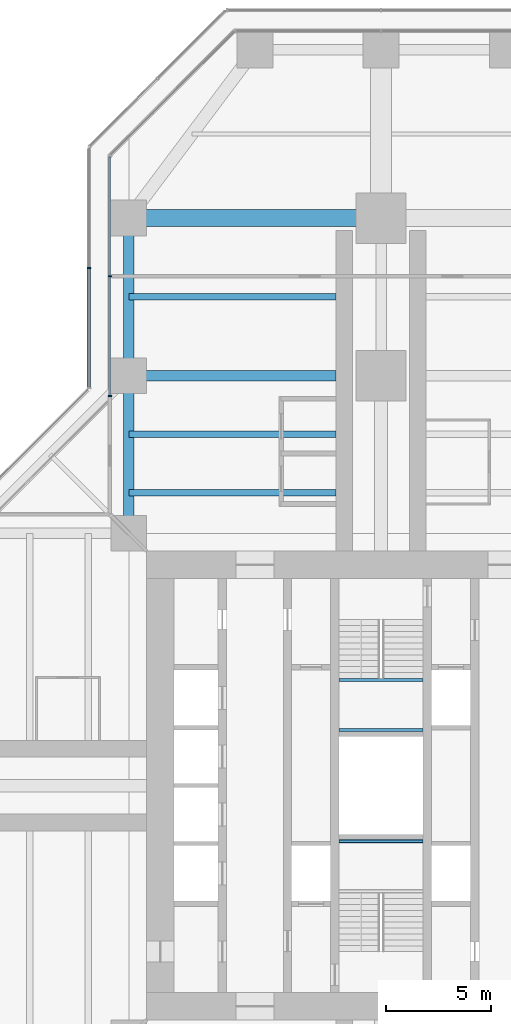
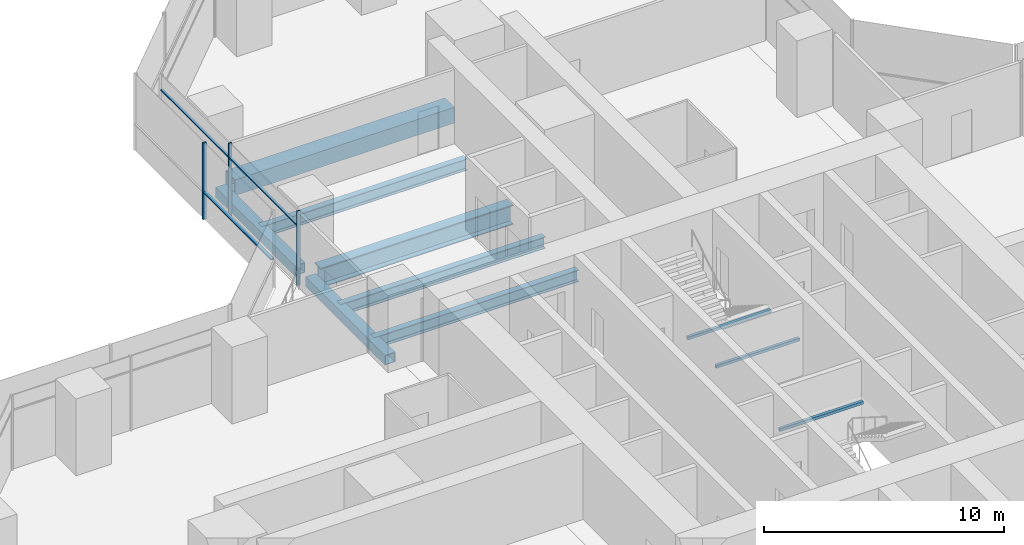
# One storey, part 9 of 22: 10 beams, 6 members, 2 elements without a shape of their own.
"""IFC4 building model written with IfcOpenShell, lengths in metres."""

from ifc_helpers import new_model, si_unit, direction, frame, origin, origin_2d, place, context, subcontext, project, spatial, rectangle, hollow_rectangle, i_section, extrude, material, material_profile, profile_set, type_object, element, aggregate, save


model = new_model("IFC4")

# Units and contexts
model_context = context("Model", 3, precision=1e-05, world=origin(), true_north=direction((0.0, 1.0)))
body_context = subcontext(model_context, "Body", "Model", "MODEL_VIEW")
ifc_project = project(units=[si_unit("LENGTHUNIT", "METRE"), si_unit("AREAUNIT", "SQUARE_METRE"), si_unit("VOLUMEUNIT", "CUBIC_METRE"), si_unit("PLANEANGLEUNIT", "RADIAN"), si_unit("MASSUNIT", "GRAM", prefix="KILO")], contexts=[model_context])

# Site, building, storey
site_placement = place(None, origin())
site = spatial("IfcSite", under=ifc_project, at=site_placement, CompositionType="ELEMENT")
building_placement = place(site_placement, origin())
building = spatial("IfcBuilding", under=site, at=building_placement, Name="Mizan Broadcast Tower", CompositionType="ELEMENT")
storey_placement = place(building_placement, frame((0.0, 0.0, 70.800048828125)))
storey = spatial("IfcBuildingStorey", under=building, at=storey_placement, Name="L14", CompositionType="ELEMENT", Elevation=70.800048828125)

# Beams
ifc_material_1 = material(Name="Steel S355", Category="steel")
ifc_material_profile_1 = material_profile(ifc_material_1, hollow_rectangle(XDim=0.5, YDim=0.5, WallThickness=0.030029296875, at=origin_2d()), Name="BOX 500x500x30")
ifc_profile_set_1 = profile_set([ifc_material_profile_1], Name="Steel S355")
beam_type_1 = type_object("IfcBeamType", Name="EDGE BEAM BOX 500x500x30", PredefinedType="SPANDREL", material=ifc_profile_set_1)
for number, where, z_axis, x_axis, name in (
    (1, (-12.0, 12.449951171875, -0.380126953125), (0.0, 1.0, 0.0), (-1.0, 0.0, 0.0), "Edge beam BOX 500x500x30 L14 north arm"),
    (2, (-12.0, 19.949951171875, -0.380126953125), (0.0, 1.0, 0.0), (-1.0, 0.0, 0.0), "Edge beam BOX 500x500x30 L14 north arm"),
):
    element("IfcBeam", number, at=place(storey_placement, frame(where, z_axis=z_axis, x_axis=x_axis)), inside=storey, type_object=beam_type_1, Name=name, PredefinedType="SPANDREL", context=body_context, shape_type="SweptSolid", body=[
        extrude(hollow_rectangle(XDim=0.5, YDim=0.5, WallThickness=0.030029296875, at=origin_2d()), origin(), (0.0, 0.0, 1.0), 6.60009765625),
    ])
ifc_material_2 = material(Name="Steel S460", Category="steel")
ifc_material_profile_2 = material_profile(ifc_material_2, hollow_rectangle(XDim=0.800048828125, YDim=0.800048828125, WallThickness=0.050048828125, at=origin_2d()), Name="BOX 800x800x50")
ifc_profile_set_2 = profile_set([ifc_material_profile_2], Name="Steel S460")
beam_type_2 = type_object("IfcBeamType", Name="GIRDER BOX 800x800x50", PredefinedType="BEAM", material=ifc_profile_set_2)
beam_1_placement = place(storey_placement, frame((-11.280029296875, 27.0, -0.530029296875), z_axis=(1.0, 0.0, 0.0), x_axis=(0.0, 1.0, 0.0)))
element("IfcBeam", 3, at=beam_1_placement, inside=storey, type_object=beam_type_2, Name="Girder BOX 800x800x50 L14 north arm", PredefinedType="BEAM", context=body_context, shape_type="SweptSolid", body=[
    extrude(hollow_rectangle(XDim=0.800048828125, YDim=0.800048828125, WallThickness=0.050048828125, at=origin_2d()), origin(), (0.0, 0.0, 1.0), 10.56005859375),
])
ifc_material_3 = material(Name="Steel S460", Category="steel")
ifc_material_profile_3 = material_profile(ifc_material_3, i_section(OverallWidth=0.5, OverallDepth=1.0, WebThickness=0.02490234375, FlangeThickness=0.050048828125, at=origin_2d()), Name="WPG 1000x500")
ifc_profile_set_3 = profile_set([ifc_material_profile_3], Name="Steel S460")
beam_type_3 = type_object("IfcBeamType", Name="GIRDER WPG 1000x500", PredefinedType="BEAM", material=ifc_profile_set_3)
beam_2_placement = place(storey_placement, frame((-11.408935546875, 19.5, -0.630126953125), z_axis=(1.0, 0.0, 0.0), x_axis=(0.0, 1.0, 0.0)))
element("IfcBeam", 4, at=beam_2_placement, inside=storey, type_object=beam_type_3, Name="Girder WPG 1000x500 L14 north arm", PredefinedType="BEAM", context=body_context, shape_type="SweptSolid", body=[
    extrude(i_section(OverallWidth=0.5, OverallDepth=1.0, WebThickness=0.02490234375, FlangeThickness=0.050048828125, at=origin_2d()), origin(), (0.0, 0.0, 1.0), 9.259033203125),
])

# Curtain wall, members
ifc_material_4 = material(Name="Aluminium framed glazing", Category="aluminium")
curtain_wall_type_1 = type_object("IfcCurtainWallType", Name="INNER SKIN LOW ZONE", PredefinedType="USERDEFINED", material=ifc_material_4)
curtain_wall_1_placement = place(storey_placement, origin())
curtain_wall_1 = element("IfcCurtainWall", 5, at=curtain_wall_1_placement, inside=storey, type_object=curtain_wall_type_1, Name="Inner skin low zone L14 N side", ObjectType="INNER SKIN LOW ZONE", PredefinedType="USERDEFINED")
ifc_material_5 = material(Name="Aluminium, pale anodised", Category="aluminium")
ifc_material_profile_4 = material_profile(ifc_material_5, rectangle(XDim=0.159912109375, YDim=0.06005859375, at=origin_2d()), Name="MULLION 160x60")
ifc_profile_set_4 = profile_set([ifc_material_profile_4], Name="Aluminium, pale anodised")
member_type_1 = type_object("IfcMemberType", Name="INNER SKIN MULLION 60x160", PredefinedType="MULLION", material=ifc_profile_set_4)
member_1_placement = place(storey_placement, frame((-12.89990234375, 24.229248046875, 0.0), z_axis=(0.0, 0.0, 1.0), x_axis=(1.0, 0.0, 0.0)))
member_1 = element("IfcMember", 6, at=member_1_placement, type_object=member_type_1, Name="Inner skin low zone L14 N side mullion 2", PredefinedType="MULLION", context=body_context, shape_type="SweptSolid", body=[
    extrude(rectangle(XDim=0.159912109375, YDim=0.06005859375, at=origin_2d()), origin(), (0.0, 0.0, 1.0), 3.77001953125),
])
member_2_placement = place(storey_placement, frame((-12.89990234375, 18.530029296875, 0.0), z_axis=(0.0, 0.0, 1.0), x_axis=(1.0, 0.0, 0.0)))
member_2 = element("IfcMember", 7, at=member_2_placement, type_object=member_type_1, Name="Inner skin low zone L14 N side mullion 3", PredefinedType="MULLION", context=body_context, shape_type="SweptSolid", body=[
    extrude(rectangle(XDim=0.159912109375, YDim=0.06005859375, at=origin_2d()), origin(), (0.0, 0.0, 1.0), 3.77001953125),
])
ifc_material_6 = material(Name="Aluminium, pale anodised", Category="aluminium")
ifc_material_profile_5 = material_profile(ifc_material_6, rectangle(XDim=0.1201171875, YDim=0.06005859375, at=origin_2d()), Name="TRANSOM 120x60")
ifc_profile_set_5 = profile_set([ifc_material_profile_5], Name="Aluminium, pale anodised")
member_type_2 = type_object("IfcMemberType", Name="INNER SKIN TRANSOM 60x120", PredefinedType="USERDEFINED", material=ifc_profile_set_5)
member_3_placement = place(storey_placement, frame((-12.89990234375, 29.898681640625, 3.030029296875), z_axis=(0.0, -1.0, 0.0), x_axis=(1.0, 0.0, 0.0)))
member_3 = element("IfcMember", 8, at=member_3_placement, type_object=member_type_2, Name="Inner skin low zone L14 N side transom 1.1", ObjectType="TRANSOM", PredefinedType="USERDEFINED", context=body_context, shape_type="SweptSolid", body=[
    extrude(rectangle(XDim=0.1201171875, YDim=0.06005859375, at=origin_2d()), origin(), (0.0, 0.0, 1.0), 5.639404296875),
])
member_4_placement = place(storey_placement, frame((-12.89990234375, 24.19921875, 3.030029296875), z_axis=(0.0, -1.0, 0.0), x_axis=(1.0, 0.0, 0.0)))
member_4 = element("IfcMember", 9, at=member_4_placement, type_object=member_type_2, Name="Inner skin low zone L14 N side transom 2.1", ObjectType="TRANSOM", PredefinedType="USERDEFINED", context=body_context, shape_type="SweptSolid", body=[
    extrude(rectangle(XDim=0.1201171875, YDim=0.06005859375, at=origin_2d()), origin(), (0.0, 0.0, 1.0), 5.63916015625),
])
aggregate(curtain_wall_1, [member_1, member_2, member_3, member_4])

# Beams
ifc_material_7 = material(Name="Steel S355", Category="steel")
ifc_material_profile_6 = material_profile(ifc_material_7, hollow_rectangle(XDim=0.14990234375, YDim=0.14990234375, WallThickness=0.008056640625, InnerFilletRadius=0.008056640625, OuterFilletRadius=0.011962890625, at=origin_2d()), Name="SHS 150x150x8")
ifc_profile_set_6 = profile_set([ifc_material_profile_6], Name="Steel S355")
beam_type_4 = type_object("IfcBeamType", Name="LANDING TRIMMER SHS 150x150x8", PredefinedType="BEAM", material=ifc_profile_set_6)
for number, where, z_axis, x_axis, name in (
    (10, (-2.0, -2.64990234375, 1.675048828125), (1.0, 0.0, 0.0), (0.0, 1.0, 0.0), "Stair A landing trimmer L14"),
    (11, (2.0, 5.02490234375, 1.675048828125), (-1.0, 0.0, 0.0), (0.0, -1.0, 0.0), "Stair B landing trimmer L14"),
    (12, (2.0, 2.64990234375, 1.675048828125), (-1.0, 0.0, 0.0), (0.0, -1.0, 0.0), "Stair B landing trimmer L14"),
):
    element("IfcBeam", number, at=place(storey_placement, frame(where, z_axis=z_axis, x_axis=x_axis)), inside=storey, type_object=beam_type_4, Name=name, PredefinedType="BEAM", context=body_context, shape_type="SweptSolid", body=[
        extrude(hollow_rectangle(XDim=0.14990234375, YDim=0.14990234375, WallThickness=0.008056640625, InnerFilletRadius=0.008056640625, OuterFilletRadius=0.011962890625, at=origin_2d()), origin(), (0.0, 0.0, 1.0), 4.0),
    ])

# Curtain wall, members
ifc_material_8 = material(Name="Aluminium framed glazing", Category="aluminium")
curtain_wall_type_2 = type_object("IfcCurtainWallType", Name="OUTER SKIN", PredefinedType="USERDEFINED", material=ifc_material_8)
curtain_wall_2_placement = place(storey_placement, origin())
curtain_wall_2 = element("IfcCurtainWall", 13, at=curtain_wall_2_placement, inside=storey, type_object=curtain_wall_type_2, Name="Outer skin L14 N side", ObjectType="OUTER SKIN", PredefinedType="USERDEFINED")
ifc_material_9 = material(Name="Aluminium, pale anodised", Category="aluminium")
ifc_material_profile_7 = material_profile(ifc_material_9, rectangle(XDim=0.159912109375, YDim=0.080078125, at=origin_2d()), Name="MULLION 160x80")
ifc_profile_set_7 = profile_set([ifc_material_profile_7], Name="Aluminium, pale anodised")
member_type_3 = type_object("IfcMemberType", Name="OUTER SKIN MULLION 80x160", PredefinedType="MULLION", material=ifc_profile_set_7)
member_5_placement = place(storey_placement, frame((-13.89990234375, 24.622802734375, 0.0), z_axis=(0.0, 0.0, 1.0), x_axis=(1.0, 0.0, 0.0)))
member_5 = element("IfcMember", 14, at=member_5_placement, type_object=member_type_3, Name="Outer skin L14 N side mullion 2", PredefinedType="MULLION", context=body_context, shape_type="SweptSolid", body=[
    extrude(rectangle(XDim=0.159912109375, YDim=0.080078125, at=origin_2d()), origin(), (0.0, 0.0, 1.0), 3.89990234375),
])
ifc_material_10 = material(Name="Aluminium, pale anodised", Category="aluminium")
ifc_material_profile_8 = material_profile(ifc_material_10, rectangle(XDim=0.159912109375, YDim=0.06005859375, at=origin_2d()), Name="TRANSOM 160x60")
ifc_profile_set_8 = profile_set([ifc_material_profile_8], Name="Aluminium, pale anodised")
member_type_4 = type_object("IfcMemberType", Name="OUTER SKIN TRANSOM 60x160", PredefinedType="USERDEFINED", material=ifc_profile_set_8)
member_6_placement = place(storey_placement, frame((-13.89990234375, 24.582763671875, 1.39990234375), z_axis=(0.0, -1.0, 0.0), x_axis=(1.0, 0.0, 0.0)))
member_6 = element("IfcMember", 15, at=member_6_placement, type_object=member_type_4, Name="Outer skin L14 N side transom 2.1", ObjectType="TRANSOM", PredefinedType="USERDEFINED", context=body_context, shape_type="SweptSolid", body=[
    extrude(rectangle(XDim=0.159912109375, YDim=0.06005859375, at=origin_2d()), origin(), (0.0, 0.0, 1.0), 5.6298828125),
])
aggregate(curtain_wall_2, [member_5, member_6])

# Beams
ifc_material_11 = material(Name="Steel S355", Category="steel")
ifc_material_profile_9 = material_profile(ifc_material_11, i_section(OverallWidth=0.300048828125, OverallDepth=0.590087890625, WebThickness=0.012939453125, FlangeThickness=0.02490234375, FilletRadius=0.027099609375, at=origin_2d()), Name="HEA 600")
ifc_profile_set_9 = profile_set([ifc_material_profile_9], Name="Steel S355")
beam_type_5 = type_object("IfcBeamType", Name="SECONDARY BEAM HEA 600", PredefinedType="JOIST", material=ifc_profile_set_9)
for number, where, z_axis, x_axis, name in (
    (16, (-12.0, 13.933349609375, -0.425048828125), (1.0, 0.0, 0.0), (0.0, 1.0, 0.0), "Secondary beam HEA 600 L14 north arm"),
    (17, (-12.0, 16.716552734375, -0.425048828125), (1.0, 0.0, 0.0), (0.0, 1.0, 0.0), "Secondary beam HEA 600 L14 north arm"),
    (18, (-12.0, 23.25, -0.425048828125), (1.0, 0.0, 0.0), (0.0, 1.0, 0.0), "Secondary beam HEA 600 L14 north arm"),
):
    element("IfcBeam", number, at=place(storey_placement, frame(where, z_axis=z_axis, x_axis=x_axis)), inside=storey, type_object=beam_type_5, Name=name, PredefinedType="JOIST", context=body_context, shape_type="SweptSolid", body=[
        extrude(i_section(OverallWidth=0.300048828125, OverallDepth=0.590087890625, WebThickness=0.012939453125, FlangeThickness=0.02490234375, FilletRadius=0.027099609375, at=origin_2d()), origin(), (0.0, 0.0, 1.0), 9.85009765625),
    ])

save(model, "model.ifc")
